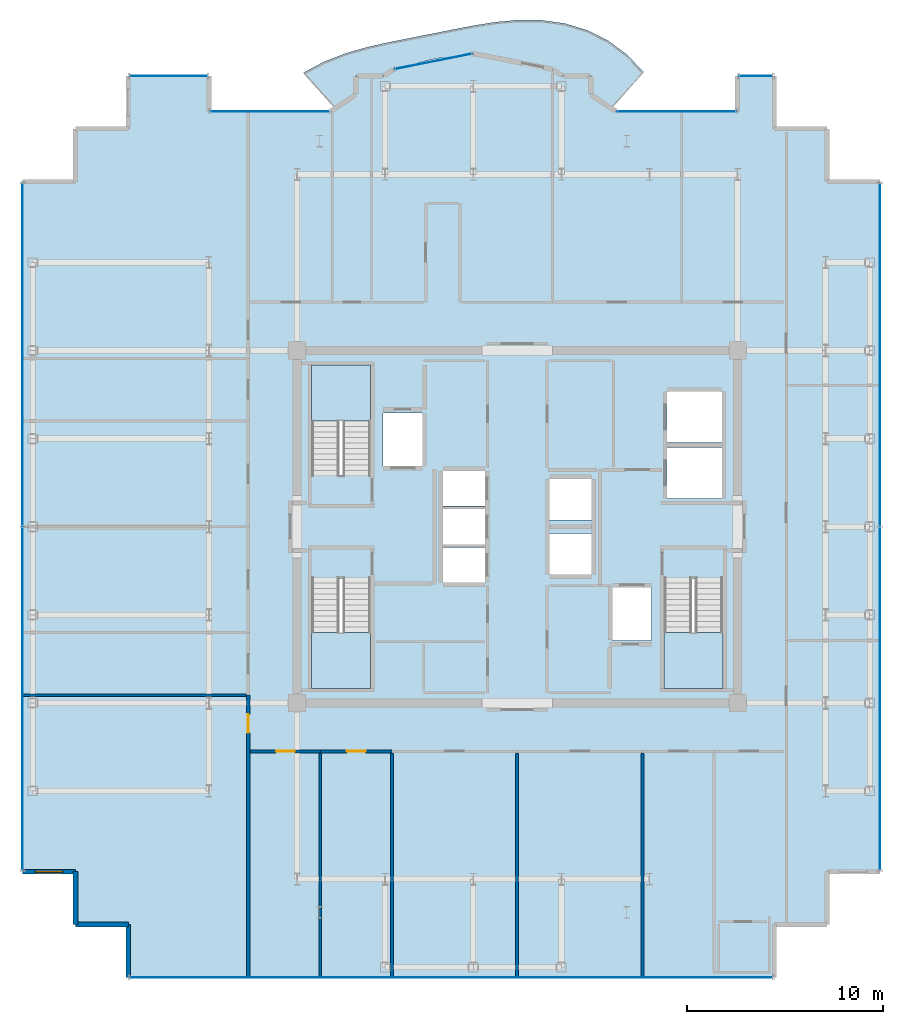
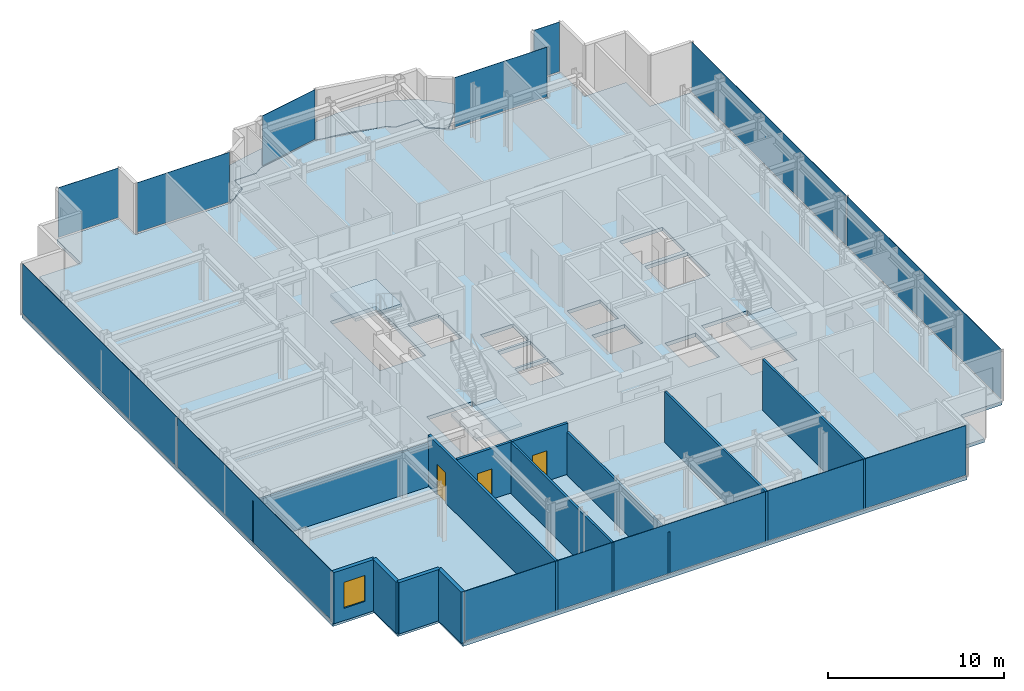
# One storey, part 12 of 18: 12 walls, 10 plates, 5 slabs, 3 doors, 1 window, 4 openings, 11 elements without a shape of their own.
"""IFC4 building model written with IfcOpenShell, lengths in metres."""

from ifc_helpers import new_model, si_unit, direction, frame, frame_2d, origin, origin_2d, place, context, subcontext, project, spatial, polyline, rectangle, outline, extrude, source, transform, mapped, material, layer, layer_set, type_object, element, fill, aggregate, save


model = new_model("IFC4")

# Units and contexts
model_context = context("Model", 3, precision=1e-05, world=origin(), true_north=direction((0.0, 1.0)))
body_context = subcontext(model_context, "Body", "Model", "MODEL_VIEW")
ifc_project = project(units=[si_unit("LENGTHUNIT", "METRE"), si_unit("AREAUNIT", "SQUARE_METRE"), si_unit("VOLUMEUNIT", "CUBIC_METRE"), si_unit("PLANEANGLEUNIT", "RADIAN"), si_unit("MASSUNIT", "GRAM", prefix="KILO")], contexts=[model_context])

# Site, building, storey
site_placement = place(None, origin())
site = spatial("IfcSite", under=ifc_project, at=site_placement, CompositionType="ELEMENT")
building_placement = place(site_placement, origin())
building = spatial("IfcBuilding", under=site, at=building_placement, Name="Nefas-Gora Pilgrimage Tower", CompositionType="ELEMENT")
storey_placement = place(building_placement, frame((0.0, 0.0, 302.60009765625)))
storey = spatial("IfcBuildingStorey", under=building, at=storey_placement, Name="L76", CompositionType="ELEMENT", Elevation=302.60009765625)

# Slabs
ifc_material_1 = material(Name="Concrete C40/50", Category="concrete")
ifc_layer_1 = layer(ifc_material_1, 0.22509765625)
ifc_layer_set_1 = layer_set([ifc_layer_1], Name="Concrete C40/50")
slab_type_1 = type_object("IfcSlabType", Name="SLB-BAL-P1", PredefinedType="FLOOR", material=ifc_layer_set_1)
slab_1_placement = place(storey_placement, frame((0.0, 0.0, -0.22509765625)))
element("IfcSlab", 1, at=slab_1_placement, inside=storey, type_object=slab_type_1, Name="L76 Sinusoidal Lobe Balcony Slab N (Phase 1)", PredefinedType="FLOOR", context=body_context, shape_type="SweptSolid", body=[
    extrude(outline(polyline([(-9.28759765625, 21.385986328125), (-9.224609375, 21.427978515625), (-8.538330078125, 21.9912109375), (-8.260009765625, 22.179931640625), (-8.260009765625, 23.02001953125), (-8.260009765625, 23.02099609375), (-8.259765625, 23.02197265625), (-8.259521484375, 23.02294921875), (-8.25927734375, 23.023681640625), (-8.2587890625, 23.024658203125), (-8.25830078125, 23.025634765625), (-8.2578125, 23.0263671875), (-8.257080078125, 23.027099609375), (-8.25634765625, 23.027587890625), (-8.255615234375, 23.0283203125), (-8.254638671875, 23.02880859375), (-8.25390625, 23.029296875), (-8.2529296875, 23.029541015625), (-8.251953125, 23.02978515625), (-8.2509765625, 23.030029296875), (-8.25, 23.030029296875), (-6.8271484375, 23.030029296875), (-6.31298828125, 23.37353515625), (-6.31201171875, 23.3740234375), (-6.311279296875, 23.37451171875), (-6.310302734375, 23.375), (-6.309326171875, 23.375), (-5.63037109375, 23.51025390625), (-5.102783203125, 23.685302734375), (-4.165283203125, 23.904052734375), (-3.211669921875, 24.035888671875), (-2.919921875, 24.04931640625), (-2.251953125, 24.18212890625), (-2.2509765625, 24.182373046875), (-2.25, 24.182373046875), (-2.2490234375, 24.182373046875), (-2.248046875, 24.18212890625), (-1.580078125, 24.04931640625), (-1.288330078125, 24.035888671875), (-0.334716796875, 23.904052734375), (0.602783203125, 23.685302734375), (1.13037109375, 23.51025390625), (1.809326171875, 23.375), (1.810302734375, 23.375), (1.811279296875, 23.37451171875), (1.81201171875, 23.3740234375), (1.81298828125, 23.37353515625), (2.3271484375, 23.030029296875), (3.75, 23.030029296875), (3.7509765625, 23.030029296875), (3.751953125, 23.02978515625), (3.7529296875, 23.029541015625), (3.75390625, 23.029296875), (3.754638671875, 23.02880859375), (3.755615234375, 23.0283203125), (3.75634765625, 23.027587890625), (3.757080078125, 23.027099609375), (3.7578125, 23.0263671875), (3.75830078125, 23.025634765625), (3.7587890625, 23.024658203125), (3.75927734375, 23.023681640625), (3.759521484375, 23.02294921875), (3.759765625, 23.02197265625), (3.760009765625, 23.02099609375), (3.760009765625, 23.02001953125), (3.760009765625, 22.179931640625), (4.038330078125, 21.9912109375), (4.724609375, 21.427978515625), (4.78759765625, 21.385986328125), (6.4453125, 23.22705078125), (5.615234375, 24.102783203125), (4.64697265625, 24.82470703125), (3.56640625, 25.364501953125), (2.41064453125, 25.711181640625), (1.22021484375, 25.87451171875), (0.031982421875, 25.882080078125), (-1.128662109375, 25.7744140625), (-2.25, 25.595947265625), (-3.335693359375, 25.38671875), (-4.400634765625, 25.17333984375), (-5.463623046875, 24.964599609375), (-6.54150390625, 24.749755859375), (-7.64111328125, 24.502197265625), (-8.754638671875, 24.184814453125), (-9.85888671875, 23.759521484375), (-10.916748046875, 23.1953125), (-9.28759765625, 21.385986328125)])), origin(), (0.0, 0.0, 1.0), 0.22509765625),
])
ifc_layer_2 = layer(ifc_material_1, 0.25)
ifc_layer_set_2 = layer_set([ifc_layer_2], Name="Concrete C40/50")
slab_type_2 = type_object("IfcSlabType", Name="SLB-TWR-260", PredefinedType="FLOOR", material=ifc_layer_set_2)
slab_2_placement = place(storey_placement, frame((0.0, 0.0, -0.25)))
element("IfcSlab", 2, at=slab_2_placement, inside=storey, type_object=slab_type_2, Name="L76 Structural Floor Slab", PredefinedType="FLOOR", context=body_context, shape_type="SweptSolid", body=[
    extrude(outline(polyline([(15.820068359375, -17.6201171875), (18.52001953125, -17.6201171875), (18.52001953125, 17.6201171875), (15.820068359375, 17.6201171875), (15.820068359375, 20.320068359375), (13.1201171875, 20.320068359375), (13.1201171875, 23.02001953125), (11.25, 23.02001953125), (11.25, 21.219970703125), (5.01806640625, 21.219970703125), (3.75, 22.0673828125), (3.75, 23.02001953125), (2.32421875, 23.02001953125), (1.807373046875, 23.365234375), (-2.25, 24.17236328125), (-6.307373046875, 23.365234375), (-6.82421875, 23.02001953125), (-8.25, 23.02001953125), (-8.25, 22.0673828125), (-9.51806640625, 21.219970703125), (-15.75, 21.219970703125), (-15.75, 23.02001953125), (-19.8701171875, 23.02001953125), (-19.8701171875, 20.320068359375), (-22.570068359375, 20.320068359375), (-22.570068359375, 17.6201171875), (-25.27001953125, 17.6201171875), (-25.27001953125, -17.6201171875), (-22.570068359375, -17.6201171875), (-22.570068359375, -20.320068359375), (-19.8701171875, -20.320068359375), (-19.8701171875, -23.02001953125), (13.1201171875, -23.02001953125), (13.1201171875, -20.320068359375), (15.820068359375, -20.320068359375), (15.820068359375, -17.6201171875)]), holes=[polyline([(-10.5, 2.639892578125), (-10.5, 8.25), (-7.5, 8.25), (-7.5, 2.639892578125), (-10.5, 2.639892578125)]), polyline([(10.5, -2.639892578125), (10.5, -8.25), (7.5, -8.25), (7.5, -2.639892578125), (10.5, -2.639892578125)]), polyline([(-7.5, -2.639892578125), (-7.5, -8.25), (-10.5, -8.25), (-10.5, -2.639892578125), (-7.5, -2.639892578125)]), polyline([(-6.85009765625, 5.800048828125), (-4.85009765625, 5.800048828125), (-4.85009765625, 3.10009765625), (-6.85009765625, 3.10009765625), (-6.85009765625, 5.800048828125)]), polyline([(4.85009765625, -3.10009765625), (6.85009765625, -3.10009765625), (6.85009765625, -5.800048828125), (4.85009765625, -5.800048828125), (4.85009765625, -3.10009765625)]), polyline([(7.64990234375, 4.050048828125), (10.449951171875, 4.050048828125), (10.449951171875, 1.449951171875), (7.64990234375, 1.449951171875), (7.64990234375, 4.050048828125)]), polyline([(7.64990234375, 6.89990234375), (10.449951171875, 6.89990234375), (10.449951171875, 4.300048828125), (7.64990234375, 4.300048828125), (7.64990234375, 6.89990234375)]), polyline([(-3.800048828125, -1.050048828125), (-1.64990234375, -1.050048828125), (-1.64990234375, -2.85009765625), (-3.800048828125, -2.85009765625), (-3.800048828125, -1.050048828125)]), polyline([(-3.800048828125, 0.89990234375), (-1.64990234375, 0.89990234375), (-1.64990234375, -0.89990234375), (-3.800048828125, -0.89990234375), (-3.800048828125, 0.89990234375)]), polyline([(-3.800048828125, 2.85009765625), (-1.64990234375, 2.85009765625), (-1.64990234375, 1.050048828125), (-3.800048828125, 1.050048828125), (-3.800048828125, 2.85009765625)]), polyline([(1.64990234375, -0.35009765625), (3.800048828125, -0.35009765625), (3.800048828125, -2.449951171875), (1.64990234375, -2.449951171875), (1.64990234375, -0.35009765625)]), polyline([(1.64990234375, 2.449951171875), (3.800048828125, 2.449951171875), (3.800048828125, 0.35009765625), (1.64990234375, 0.35009765625), (1.64990234375, 2.449951171875)])]), origin(), (0.0, 0.0, 1.0), 0.25),
])

# Stair, slab
ifc_material_2 = material(Name="Concrete C45/55", Category="concrete")
stair_type = type_object("IfcStairType", Name="STR-1400-R1727", PredefinedType="HALF_TURN_STAIR", material=ifc_material_2)
stair_1_placement = place(storey_placement, origin())
stair_1 = element("IfcStair", 3, at=stair_1_placement, inside=storey, type_object=stair_type, Name="L76 Pressurised Tower Exit Stair ST-01", PredefinedType="HALF_TURN_STAIR")
ifc_layer_3 = layer(ifc_material_1, 0.199951171875)
ifc_layer_set_3 = layer_set([ifc_layer_3], Name="Concrete C40/50")
slab_type_3 = type_object("IfcSlabType", Name="STR-LAND-200", PredefinedType="LANDING", material=ifc_layer_set_3)
slab_3_placement = place(storey_placement, frame((0.0, 0.0, 1.699951171875)))
slab_3 = element("IfcSlab", 4, at=slab_3_placement, type_object=slab_type_3, Name="ST-01 landing 1", PredefinedType="LANDING", context=body_context, shape_type="SweptSolid", body=[
    extrude(outline(polyline([(-7.5, 5.39990234375), (-7.5, 8.25), (-10.5, 8.25), (-10.5, 5.39990234375), (-7.5, 5.39990234375)])), origin(), (0.0, 0.0, 1.0), 0.199951171875),
])
aggregate(stair_1, [slab_3])

stair_2_placement = place(storey_placement, origin())
stair_2 = element("IfcStair", 5, at=stair_2_placement, inside=storey, type_object=stair_type, Name="L76 Pressurised Tower Exit Stair ST-02", PredefinedType="HALF_TURN_STAIR")
slab_4_placement = place(storey_placement, frame((0.0, 0.0, 1.699951171875)))
slab_4 = element("IfcSlab", 6, at=slab_4_placement, type_object=slab_type_3, Name="ST-02 landing 1", PredefinedType="LANDING", context=body_context, shape_type="SweptSolid", body=[
    extrude(outline(polyline([(7.5, -5.39990234375), (7.5, -8.25), (10.5, -8.25), (10.5, -5.39990234375), (7.5, -5.39990234375)])), origin(), (0.0, 0.0, 1.0), 0.199951171875),
])
aggregate(stair_2, [slab_4])

stair_3_placement = place(storey_placement, origin())
stair_3 = element("IfcStair", 7, at=stair_3_placement, inside=storey, type_object=stair_type, Name="L76 Pressurised Tower Exit Stair ST-03", PredefinedType="HALF_TURN_STAIR")
slab_5_placement = place(storey_placement, frame((0.0, 0.0, 1.699951171875)))
slab_5 = element("IfcSlab", 8, at=slab_5_placement, type_object=slab_type_3, Name="ST-03 landing 1", PredefinedType="LANDING", context=body_context, shape_type="SweptSolid", body=[
    extrude(outline(polyline([(-10.5, -5.39990234375), (-10.5, -8.25), (-7.5, -8.25), (-7.5, -5.39990234375), (-10.5, -5.39990234375)])), origin(), (0.0, 0.0, 1.0), 0.199951171875),
])
aggregate(stair_3, [slab_5])

# Curtain wall, plate
ifc_material_3 = material(Name="Dark ceramic-fritted solar-control aluminium-glass curtain wall", Category="aluminium")
ifc_layer_4 = layer(ifc_material_3, 0.219970703125)
ifc_layer_set_4 = layer_set([ifc_layer_4], Name="Dark ceramic-fritted solar-control aluminium-glass curtain wall")
curtain_wall_type_1 = type_object("IfcCurtainWallType", Name="CW-SYS-5", PredefinedType="NOTDEFINED", material=ifc_layer_set_4)
curtain_wall_1_placement = place(storey_placement, origin())
curtain_wall_1 = element("IfcCurtainWall", 9, at=curtain_wall_1_placement, inside=storey, type_object=curtain_wall_type_1, Name="L76 Unitised Curtain Wall CW5", PredefinedType="NOTDEFINED")
ifc_material_4 = material(Name="Dark ceramic-printed low-e insulated glass", Category="glass")
ifc_layer_5 = layer(ifc_material_4, 0.028076171875)
ifc_layer_set_5 = layer_set([ifc_layer_5], Name="Dark ceramic-printed low-e insulated glass")
plate_type_1 = type_object("IfcPlateType", Name="CWP-PNL-5", PredefinedType="CURTAIN_PANEL", material=ifc_layer_set_5)
shared_shape_1 = source(origin(), body_context, "Body", "SweptSolid", [
    extrude(rectangle(XDim=6.052001953125, YDim=0.028076171875, at=origin_2d()), origin(), (0.0, 0.0, 1.0), 3.43994140625),
])
plate_1_placement = place(storey_placement, frame((8.134033203125, 21.219970703125, 0.099853515625), z_axis=(0.0, 0.0, 1.0), x_axis=(-1.0, 0.0, 0.0)))
plate_1 = element("IfcPlate", 10, at=plate_1_placement, type_object=plate_type_1, Name="CW5 Ceramic-Fritted Glazing Panel 1", PredefinedType="CURTAIN_PANEL", context=body_context, shape_type="MappedRepresentation", body=[
    mapped(shared_shape_1, transform((0.0, 0.0, 0.0), x_axis=(1.0, 0.0, 0.0), y_axis=(0.0, 1.0, 0.0), z_axis=(0.0, 0.0, 1.0), scale=1.0)),
])
aggregate(curtain_wall_1, [plate_1])

curtain_wall_2_placement = place(storey_placement, origin())
curtain_wall_2 = element("IfcCurtainWall", 11, at=curtain_wall_2_placement, inside=storey, type_object=curtain_wall_type_1, Name="L76 Unitised Curtain Wall CW5", PredefinedType="NOTDEFINED")
plate_2_placement = place(storey_placement, frame((-12.634033203125, 21.219970703125, 0.099853515625), z_axis=(0.0, 0.0, 1.0), x_axis=(-1.0, 0.0, 0.0)))
plate_2 = element("IfcPlate", 12, at=plate_2_placement, type_object=plate_type_1, Name="CW5 Ceramic-Fritted Glazing Panel 1", PredefinedType="CURTAIN_PANEL", context=body_context, shape_type="MappedRepresentation", body=[
    mapped(shared_shape_1, transform((0.0, 0.0, 0.0), x_axis=(1.0, 0.0, 0.0), y_axis=(0.0, 1.0, 0.0), z_axis=(0.0, 0.0, 1.0), scale=1.0)),
])
aggregate(curtain_wall_2, [plate_2])

curtain_wall_3_placement = place(storey_placement, origin())
curtain_wall_3 = element("IfcCurtainWall", 13, at=curtain_wall_3_placement, inside=storey, type_object=curtain_wall_type_1, Name="L76 Unitised Curtain Wall CW5", PredefinedType="NOTDEFINED")
shared_shape_2 = source(origin(), body_context, "Body", "SweptSolid", [
    extrude(rectangle(XDim=3.956787109375, YDim=0.028076171875, at=origin_2d()), origin(), (0.0, 0.0, 1.0), 3.43994140625),
])
plate_3_placement = place(storey_placement, frame((-4.278564453125, 23.768798828125, 0.099853515625), z_axis=(0.0, 0.0, 1.0), x_axis=(-0.980782896852, -0.195102304554, 0.0)))
plate_3 = element("IfcPlate", 14, at=plate_3_placement, type_object=plate_type_1, Name="CW5 Ceramic-Fritted Glazing Panel 1", PredefinedType="CURTAIN_PANEL", context=body_context, shape_type="MappedRepresentation", body=[
    mapped(shared_shape_2, transform((0.0, 0.0, 0.0), x_axis=(1.0, 0.0, 0.0), y_axis=(0.0, 1.0, 0.0), z_axis=(0.0, 0.0, 1.0), scale=1.0)),
])
aggregate(curtain_wall_3, [plate_3])

ifc_layer_6 = layer(ifc_material_3, 0.219970703125)
ifc_layer_set_6 = layer_set([ifc_layer_6], Name="Dark ceramic-fritted solar-control aluminium-glass curtain wall")
curtain_wall_type_2 = type_object("IfcCurtainWallType", Name="CW-SYS-4", PredefinedType="NOTDEFINED", material=ifc_layer_set_6)
curtain_wall_4_placement = place(storey_placement, origin())
curtain_wall_4 = element("IfcCurtainWall", 15, at=curtain_wall_4_placement, inside=storey, type_object=curtain_wall_type_2, Name="L76 Unitised Curtain Wall CW4", PredefinedType="NOTDEFINED")
ifc_layer_7 = layer(ifc_material_4, 0.030029296875)
ifc_layer_set_7 = layer_set([ifc_layer_7], Name="Dark ceramic-printed low-e insulated glass")
plate_type_2 = type_object("IfcPlateType", Name="CWP-PNL-4", PredefinedType="CURTAIN_PANEL", material=ifc_layer_set_7)
shared_shape_3 = source(origin(), body_context, "Body", "SweptSolid", [
    extrude(rectangle(XDim=1.68994140625, YDim=0.030029296875, at=origin_2d()), origin(), (0.0, 0.0, 1.0), 3.43994140625),
])
plate_4_placement = place(storey_placement, frame((12.18505859375, 23.02001953125, 0.099853515625), z_axis=(0.0, 0.0, 1.0), x_axis=(-1.0, 0.0, 0.0)))
plate_4 = element("IfcPlate", 16, at=plate_4_placement, type_object=plate_type_2, Name="CW4 Ceramic-Fritted Glazing Panel 1", PredefinedType="CURTAIN_PANEL", context=body_context, shape_type="MappedRepresentation", body=[
    mapped(shared_shape_3, transform((0.0, 0.0, 0.0), x_axis=(1.0, 0.0, 0.0), y_axis=(0.0, 1.0, 0.0), z_axis=(0.0, 0.0, 1.0), scale=1.0)),
])
aggregate(curtain_wall_4, [plate_4])

curtain_wall_5_placement = place(storey_placement, origin())
curtain_wall_5 = element("IfcCurtainWall", 17, at=curtain_wall_5_placement, inside=storey, type_object=curtain_wall_type_2, Name="L76 Unitised Curtain Wall CW4", PredefinedType="NOTDEFINED")
shared_shape_4 = source(origin(), body_context, "Body", "SweptSolid", [
    extrude(rectangle(XDim=3.93994140625, YDim=0.030029296875, at=origin_2d()), origin(), (0.0, 0.0, 1.0), 3.43994140625),
])
plate_5_placement = place(storey_placement, frame((-17.81005859375, 23.02001953125, 0.099853515625), z_axis=(0.0, 0.0, 1.0), x_axis=(-1.0, 0.0, 0.0)))
plate_5 = element("IfcPlate", 18, at=plate_5_placement, type_object=plate_type_2, Name="CW4 Ceramic-Fritted Glazing Panel 1", PredefinedType="CURTAIN_PANEL", context=body_context, shape_type="MappedRepresentation", body=[
    mapped(shared_shape_4, transform((0.0, 0.0, 0.0), x_axis=(1.0, 0.0, 0.0), y_axis=(0.0, 1.0, 0.0), z_axis=(0.0, 0.0, 1.0), scale=1.0)),
])
aggregate(curtain_wall_5, [plate_5])

curtain_wall_6_placement = place(storey_placement, origin())
curtain_wall_6 = element("IfcCurtainWall", 19, at=curtain_wall_6_placement, inside=storey, type_object=curtain_wall_type_2, Name="L76 Unitised Curtain Wall CW4", PredefinedType="NOTDEFINED")
shared_shape_5 = source(origin(), body_context, "Body", "SweptSolid", [
    extrude(rectangle(XDim=32.81005859375, YDim=0.030029296875, at=origin_2d()), origin(), (0.0, 0.0, 1.0), 3.43994140625),
])
plate_6_placement = place(storey_placement, frame((-3.375, -23.02001953125, 0.099853515625), z_axis=(0.0, 0.0, 1.0), x_axis=(1.0, 0.0, 0.0)))
plate_6 = element("IfcPlate", 20, at=plate_6_placement, type_object=plate_type_2, Name="CW4 Ceramic-Fritted Glazing Panel 1", PredefinedType="CURTAIN_PANEL", context=body_context, shape_type="MappedRepresentation", body=[
    mapped(shared_shape_5, transform((0.0, 0.0, 0.0), x_axis=(1.0, 0.0, 0.0), y_axis=(0.0, 1.0, 0.0), z_axis=(0.0, 0.0, 1.0), scale=1.0)),
])
aggregate(curtain_wall_6, [plate_6])

# Curtain wall, plates
curtain_wall_7_placement = place(storey_placement, origin())
curtain_wall_7 = element("IfcCurtainWall", 21, at=curtain_wall_7_placement, inside=storey, type_object=curtain_wall_type_2, Name="L76 Unitised Curtain Wall CW4", PredefinedType="NOTDEFINED")
shared_shape_6 = source(origin(), body_context, "Body", "SweptSolid", [
    extrude(rectangle(XDim=17.485107421875, YDim=0.030029296875, at=origin_2d()), origin(), (0.0, 0.0, 1.0), 3.43994140625),
])
plate_7_placement = place(storey_placement, frame((18.52001953125, -8.78759765625, 0.099853515625), z_axis=(0.0, 0.0, 1.0), x_axis=(0.0, 1.0, 0.0)))
plate_7 = element("IfcPlate", 22, at=plate_7_placement, type_object=plate_type_2, Name="CW4 Ceramic-Fritted Glazing Panel 1", PredefinedType="CURTAIN_PANEL", context=body_context, shape_type="MappedRepresentation", body=[
    mapped(shared_shape_6, transform((0.0, 0.0, 0.0), x_axis=(1.0, 0.0, 0.0), y_axis=(0.0, 1.0, 0.0), z_axis=(0.0, 0.0, 1.0), scale=1.0)),
])
plate_8_placement = place(storey_placement, frame((18.52001953125, 8.78759765625, 0.099853515625), z_axis=(0.0, 0.0, 1.0), x_axis=(0.0, 1.0, 0.0)))
plate_8 = element("IfcPlate", 23, at=plate_8_placement, type_object=plate_type_2, Name="CW4 Ceramic-Fritted Glazing Panel 2", PredefinedType="CURTAIN_PANEL", context=body_context, shape_type="MappedRepresentation", body=[
    mapped(shared_shape_6, transform((0.0, 0.0, 0.0), x_axis=(1.0, 0.0, 0.0), y_axis=(0.0, 1.0, 0.0), z_axis=(0.0, 0.0, 1.0), scale=1.0)),
])
aggregate(curtain_wall_7, [plate_7, plate_8])

curtain_wall_8_placement = place(storey_placement, origin())
curtain_wall_8 = element("IfcCurtainWall", 24, at=curtain_wall_8_placement, inside=storey, type_object=curtain_wall_type_2, Name="L76 Unitised Curtain Wall CW4", PredefinedType="NOTDEFINED")
plate_9_placement = place(storey_placement, frame((-25.27001953125, 8.78759765625, 0.099853515625), z_axis=(0.0, 0.0, 1.0), x_axis=(0.0, -1.0, 0.0)))
plate_9 = element("IfcPlate", 25, at=plate_9_placement, type_object=plate_type_2, Name="CW4 Ceramic-Fritted Glazing Panel 1", PredefinedType="CURTAIN_PANEL", context=body_context, shape_type="MappedRepresentation", body=[
    mapped(shared_shape_6, transform((0.0, 0.0, 0.0), x_axis=(1.0, 0.0, 0.0), y_axis=(0.0, 1.0, 0.0), z_axis=(0.0, 0.0, 1.0), scale=1.0)),
])
plate_10_placement = place(storey_placement, frame((-25.27001953125, -8.78759765625, 0.099853515625), z_axis=(0.0, 0.0, 1.0), x_axis=(0.0, -1.0, 0.0)))
plate_10 = element("IfcPlate", 26, at=plate_10_placement, type_object=plate_type_2, Name="CW4 Ceramic-Fritted Glazing Panel 2", PredefinedType="CURTAIN_PANEL", context=body_context, shape_type="MappedRepresentation", body=[
    mapped(shared_shape_6, transform((0.0, 0.0, 0.0), x_axis=(1.0, 0.0, 0.0), y_axis=(0.0, 1.0, 0.0), z_axis=(0.0, 0.0, 1.0), scale=1.0)),
])
aggregate(curtain_wall_8, [plate_9, plate_10])

# Wall, opening, window
ifc_material_5 = material(Name="Precast concrete C45/55", Category="concrete")
ifc_layer_8 = layer(ifc_material_5, 0.239990234375)
ifc_layer_set_8 = layer_set([ifc_layer_8], Name="Precast concrete C45/55")
wall_type_1 = type_object("IfcWallType", Name="EW-SERR-240", PredefinedType="SHEAR", material=ifc_layer_set_8)
shared_shape_7 = source(origin(), body_context, "Body", "SweptSolid", [
    extrude(rectangle(XDim=2.699951171875, YDim=0.239990234375, at=frame_2d((1.35009765625, 0.0))), origin(), (0.0, 0.0, 1.0), 3.5498046875),
])
wall_1_placement = place(storey_placement, frame((-25.27001953125, -17.6201171875, 0.0), z_axis=(0.0, 0.0, 1.0), x_axis=(1.0, 0.0, 0.0)))
wall_1 = element("IfcWall", 27, at=wall_1_placement, inside=storey, type_object=wall_type_1, Name="L76 Serrated Corner Shear Pier Wall 21", PredefinedType="SHEAR", context=body_context, shape_type="MappedRepresentation", body=[
    mapped(shared_shape_7, transform((0.0, 0.0, 0.0), x_axis=(1.0, 0.0, 0.0), y_axis=(0.0, 1.0, 0.0), z_axis=(0.0, 0.0, 1.0), scale=1.0)),
])
opening_1_placement = place(wall_1_placement, frame((0.64990234375, 0.0, 0.85009765625)))
opening_1 = element("IfcOpeningElement", 28, at=opening_1_placement, cuts=wall_1, Name="Opening W-V2", PredefinedType="OPENING", context=body_context, shape_type="SweptSolid", body=[
    extrude(rectangle(XDim=1.39990234375, YDim=1.800048828125, at=frame_2d((0.699951171875, 0.89990234375))), frame((0.0, 0.1298828125, 0.0), z_axis=(0.0, -1.0, 0.0), x_axis=(1.0, 0.0, 0.0)), (0.0, 0.0, 1.0), 0.260009765625),
])
ifc_material_6 = material(Name="Dark ceramic-fritted operable aluminium-glass window", Category="aluminium")
window_type = type_object("IfcWindowType", Name="WIN-VENT-1400x1800", PartitioningType="SINGLE_PANEL", PredefinedType="WINDOW", material=ifc_material_6)
shared_shape_8 = source(origin(), body_context, "Body", "SweptSolid", [
    extrude(rectangle(XDim=1.39990234375, YDim=1.800048828125, at=frame_2d((0.699951171875, 0.89990234375))), frame((0.0, 0.030029296875, 0.0), z_axis=(0.0, -1.0, 0.0), x_axis=(1.0, 0.0, 0.0)), (0.0, 0.0, 1.0), 0.06005859375),
])
window_placement = place(opening_1_placement, origin())
window = element("IfcWindow", 29, at=window_placement, inside=storey, type_object=window_type, Name="L76 Operable Parallel-Outswing Window 21", OverallHeight=1.800048828125, OverallWidth=1.39990234375, PartitioningType="SINGLE_PANEL", PredefinedType="WINDOW", context=body_context, shape_type="MappedRepresentation", body=[
    mapped(shared_shape_8, transform((0.0, 0.0, 0.0), x_axis=(1.0, 0.0, 0.0), y_axis=(0.0, 1.0, 0.0), z_axis=(0.0, 0.0, 1.0), scale=1.0)),
])
fill(opening_1, window)

# Walls
for number, where, z_axis, x_axis, name in (
    (30, (-22.570068359375, -17.6201171875, 0.0), (0.0, 0.0, 1.0), (0.0, -1.0, 0.0), "L76 Serrated Corner Shear Pier Wall 22"),
    (31, (-22.570068359375, -20.320068359375, 0.0), (0.0, 0.0, 1.0), (1.0, 0.0, 0.0), "L76 Serrated Corner Shear Pier Wall 23"),
    (32, (-19.8701171875, -20.320068359375, 0.0), (0.0, 0.0, 1.0), (0.0, -1.0, 0.0), "L76 Serrated Corner Shear Pier Wall 24"),
):
    element("IfcWall", number, at=place(storey_placement, frame(where, z_axis=z_axis, x_axis=x_axis)), inside=storey, type_object=wall_type_1, Name=name, PredefinedType="SHEAR", context=body_context, shape_type="MappedRepresentation", body=[
        mapped(shared_shape_7, transform((0.0, 0.0, 0.0), x_axis=(1.0, 0.0, 0.0), y_axis=(0.0, 1.0, 0.0), z_axis=(0.0, 0.0, 1.0), scale=1.0)),
    ])

# Wall, opening, door
ifc_material_7 = material(Name="Gypsum acoustic stud partition")
ifc_layer_9 = layer(ifc_material_7, 0.159912109375)
ifc_layer_set_9 = layer_set([ifc_layer_9], Name="Gypsum acoustic stud partition")
wall_type_2 = type_object("IfcWallType", Name="IW-CORR-160", PredefinedType="PARTITIONING", material=ifc_layer_set_9)
shared_shape_9 = source(origin(), body_context, "Body", "SweptSolid", [
    extrude(rectangle(XDim=3.6650390625, YDim=0.159912109375, at=frame_2d((1.83251953125, 0.0))), origin(), (0.0, 0.0, 1.0), 3.534912109375),
])
wall_2_placement = place(storey_placement, frame((-10.06005859375, -11.469970703125, 0.0), z_axis=(0.0, 0.0, 1.0), x_axis=(1.0, 0.0, 0.0)))
wall_2 = element("IfcWall", 33, at=wall_2_placement, inside=storey, type_object=wall_type_2, Name="L76 Pilgrim Contemplative Lounge Partition Wall 65", PredefinedType="PARTITIONING", context=body_context, shape_type="MappedRepresentation", body=[
    mapped(shared_shape_9, transform((0.0, 0.0, 0.0), x_axis=(1.0, 0.0, 0.0), y_axis=(0.0, 1.0, 0.0), z_axis=(0.0, 0.0, 1.0), scale=1.0)),
])
opening_2_placement = place(wall_2_placement, frame((1.357421875, 0.0, 0.0)))
opening_2 = element("IfcOpeningElement", 34, at=opening_2_placement, cuts=wall_2, Name="Opening ID-GR1", PredefinedType="OPENING", context=body_context, shape_type="SweptSolid", body=[
    extrude(rectangle(XDim=0.949951171875, YDim=2.10009765625, at=frame_2d((0.47509765625, 1.050048828125))), frame((0.0, 0.08984375, 0.0), z_axis=(0.0, -1.0, 0.0), x_axis=(1.0, 0.0, 0.0)), (0.0, 0.0, 1.0), 0.179931640625),
])
ifc_material_8 = material(Name="Solid core oak fire-rated guest entrance door")
door_type = type_object("IfcDoorType", Name="DR-INT-GUEST-950", OperationType="NOTDEFINED", PredefinedType="DOOR", material=ifc_material_8)
shared_shape_10 = source(origin(), body_context, "Body", "SweptSolid", [
    extrude(rectangle(XDim=0.949951171875, YDim=2.10009765625, at=frame_2d((0.47509765625, 1.050048828125))), frame((0.0, 0.02490234375, 0.0), z_axis=(0.0, -1.0, 0.0), x_axis=(1.0, 0.0, 0.0)), (0.0, 0.0, 1.0), 0.050048828125),
])
door_1_placement = place(opening_2_placement, origin())
door_1 = element("IfcDoor", 35, at=door_1_placement, inside=storey, type_object=door_type, Name="L76 Pilgrim Contemplative Lounge Door 29", OperationType="SINGLE_SWING_RIGHT", OverallHeight=2.10009765625, OverallWidth=0.949951171875, PredefinedType="DOOR", context=body_context, shape_type="MappedRepresentation", body=[
    mapped(shared_shape_10, transform((0.0, 0.0, 0.0), x_axis=(1.0, 0.0, 0.0), y_axis=(0.0, 1.0, 0.0), z_axis=(0.0, 0.0, 1.0), scale=1.0)),
])
fill(opening_2, door_1)

shared_shape_11 = source(origin(), body_context, "Body", "SweptSolid", [
    extrude(rectangle(XDim=3.56005859375, YDim=0.159912109375, at=frame_2d((1.780029296875, 0.0))), origin(), (0.0, 0.0, 1.0), 3.534912109375),
])
wall_3_placement = place(storey_placement, frame((-13.6201171875, -11.469970703125, 0.0), z_axis=(0.0, 0.0, 1.0), x_axis=(1.0, 0.0, 0.0)))
wall_3 = element("IfcWall", 36, at=wall_3_placement, inside=storey, type_object=wall_type_2, Name="L76 Pilgrim Contemplative Lounge Partition Wall 63", PredefinedType="PARTITIONING", context=body_context, shape_type="MappedRepresentation", body=[
    mapped(shared_shape_11, transform((0.0, 0.0, 0.0), x_axis=(1.0, 0.0, 0.0), y_axis=(0.0, 1.0, 0.0), z_axis=(0.0, 0.0, 1.0), scale=1.0)),
])
opening_3_placement = place(wall_3_placement, frame((1.304931640625, 0.0, 0.0)))
opening_3 = element("IfcOpeningElement", 37, at=opening_3_placement, cuts=wall_3, Name="Opening ID-GR1", PredefinedType="OPENING", context=body_context, shape_type="SweptSolid", body=[
    extrude(rectangle(XDim=0.949951171875, YDim=2.10009765625, at=frame_2d((0.47509765625, 1.050048828125))), frame((0.0, 0.08984375, 0.0), z_axis=(0.0, -1.0, 0.0), x_axis=(1.0, 0.0, 0.0)), (0.0, 0.0, 1.0), 0.179931640625),
])
door_2_placement = place(opening_3_placement, origin())
door_2 = element("IfcDoor", 38, at=door_2_placement, inside=storey, type_object=door_type, Name="L76 Pilgrim Contemplative Lounge Door 28", OperationType="SINGLE_SWING_LEFT", OverallHeight=2.10009765625, OverallWidth=0.949951171875, PredefinedType="DOOR", context=body_context, shape_type="MappedRepresentation", body=[
    mapped(shared_shape_10, transform((0.0, 0.0, 0.0), x_axis=(1.0, 0.0, 0.0), y_axis=(0.0, 1.0, 0.0), z_axis=(0.0, 0.0, 1.0), scale=1.0)),
])
fill(opening_3, door_2)

shared_shape_12 = source(origin(), body_context, "Body", "SweptSolid", [
    extrude(rectangle(XDim=14.445068359375, YDim=0.159912109375, at=frame_2d((7.22265625, 0.0))), origin(), (0.0, 0.0, 1.0), 3.534912109375),
])
wall_4_placement = place(storey_placement, frame((-13.739990234375, -23.0400390625, 0.0), z_axis=(0.0, 0.0, 1.0), x_axis=(0.0, 1.0, 0.0)))
wall_4 = element("IfcWall", 39, at=wall_4_placement, inside=storey, type_object=wall_type_2, Name="L76 Pilgrim Floor Concierge Foyer Partition Wall 37", PredefinedType="PARTITIONING", context=body_context, shape_type="MappedRepresentation", body=[
    mapped(shared_shape_12, transform((0.0, 0.0, 0.0), x_axis=(1.0, 0.0, 0.0), y_axis=(0.0, 1.0, 0.0), z_axis=(0.0, 0.0, 1.0), scale=1.0)),
])
opening_4_placement = place(wall_4_placement, frame((12.512451171875, 0.0, 0.0)))
opening_4 = element("IfcOpeningElement", 40, at=opening_4_placement, cuts=wall_4, Name="Opening ID-GR1", PredefinedType="OPENING", context=body_context, shape_type="SweptSolid", body=[
    extrude(rectangle(XDim=0.949951171875, YDim=2.10009765625, at=frame_2d((0.47509765625, 1.050048828125))), frame((0.0, 0.08984375, 0.0), z_axis=(0.0, -1.0, 0.0), x_axis=(1.0, 0.0, 0.0)), (0.0, 0.0, 1.0), 0.179931640625),
])
door_3_placement = place(opening_4_placement, origin())
door_3 = element("IfcDoor", 41, at=door_3_placement, inside=storey, type_object=door_type, Name="L76 Pilgrim Floor Concierge Foyer Door 15", OperationType="SINGLE_SWING_RIGHT", OverallHeight=2.10009765625, OverallWidth=0.949951171875, PredefinedType="DOOR", context=body_context, shape_type="MappedRepresentation", body=[
    mapped(shared_shape_10, transform((0.0, 0.0, 0.0), x_axis=(1.0, 0.0, 0.0), y_axis=(0.0, 1.0, 0.0), z_axis=(0.0, 0.0, 1.0), scale=1.0)),
])
fill(opening_4, door_3)

# Walls
ifc_material_9 = material(Name="Gypsum twin-stud partition")
ifc_layer_10 = layer(ifc_material_9, 0.139892578125)
ifc_layer_set_10 = layer_set([ifc_layer_10], Name="Gypsum twin-stud partition")
wall_type_3 = type_object("IfcWallType", Name="IW-UNIT-140", PredefinedType="PARTITIONING", material=ifc_layer_set_10)
shared_shape_13 = source(origin(), body_context, "Body", "SweptSolid", [
    extrude(rectangle(XDim=11.449951171875, YDim=0.139892578125, at=frame_2d((5.72509765625, 0.0))), origin(), (0.0, 0.0, 1.0), 3.534912109375),
])
for number, where, z_axis, x_axis, name in (
    (42, (-10.070068359375, -23.0400390625, 0.0), (0.0, 0.0, 1.0), (0.0, 1.0, 0.0), "L76 Pilgrim Contemplative Lounge Partition Wall 64"),
    (43, (-0.010009765625, -23.0400390625, 0.0), (0.0, 0.0, 1.0), (0.0, 1.0, 0.0), "L76 Pilgrim Contemplative Lounge Partition Wall 68"),
    (44, (6.39501953125, -23.0400390625, 0.0), (0.0, 0.0, 1.0), (0.0, 1.0, 0.0), "L76 Pilgrim Contemplative Lounge Partition Wall 70"),
):
    element("IfcWall", number, at=place(storey_placement, frame(where, z_axis=z_axis, x_axis=x_axis)), inside=storey, type_object=wall_type_3, Name=name, PredefinedType="PARTITIONING", context=body_context, shape_type="MappedRepresentation", body=[
        mapped(shared_shape_13, transform((0.0, 0.0, 0.0), x_axis=(1.0, 0.0, 0.0), y_axis=(0.0, 1.0, 0.0), z_axis=(0.0, 0.0, 1.0), scale=1.0)),
    ])
shared_shape_14 = source(origin(), body_context, "Body", "SweptSolid", [
    extrude(rectangle(XDim=11.429931640625, YDim=0.139892578125, at=frame_2d((5.71484375, 0.0))), origin(), (0.0, 0.0, 1.0), 2.974853515625),
])
wall_5_placement = place(storey_placement, frame((-25.2900390625, -8.60498046875, 0.0), z_axis=(0.0, 0.0, 1.0), x_axis=(1.0, 0.0, 0.0)))
element("IfcWall", 45, at=wall_5_placement, inside=storey, type_object=wall_type_3, Name="L76 Pilgrim Floor Concierge Foyer Partition Wall 38", PredefinedType="PARTITIONING", context=body_context, shape_type="MappedRepresentation", body=[
    mapped(shared_shape_14, transform((0.0, 0.0, 0.0), x_axis=(1.0, 0.0, 0.0), y_axis=(0.0, 1.0, 0.0), z_axis=(0.0, 0.0, 1.0), scale=1.0)),
])
shared_shape_15 = source(origin(), body_context, "Body", "SweptSolid", [
    extrude(rectangle(XDim=11.449951171875, YDim=0.139892578125, at=frame_2d((5.72509765625, 0.0))), origin(), (0.0, 0.0, 1.0), 2.974853515625),
])
wall_6_placement = place(storey_placement, frame((-6.405029296875, -23.0400390625, 0.0), z_axis=(0.0, 0.0, 1.0), x_axis=(0.0, 1.0, 0.0)))
element("IfcWall", 46, at=wall_6_placement, inside=storey, type_object=wall_type_3, Name="L76 Pilgrim Contemplative Lounge Partition Wall 66", PredefinedType="PARTITIONING", context=body_context, shape_type="MappedRepresentation", body=[
    mapped(shared_shape_15, transform((0.0, 0.0, 0.0), x_axis=(1.0, 0.0, 0.0), y_axis=(0.0, 1.0, 0.0), z_axis=(0.0, 0.0, 1.0), scale=1.0)),
])

save(model, "model.ifc")
